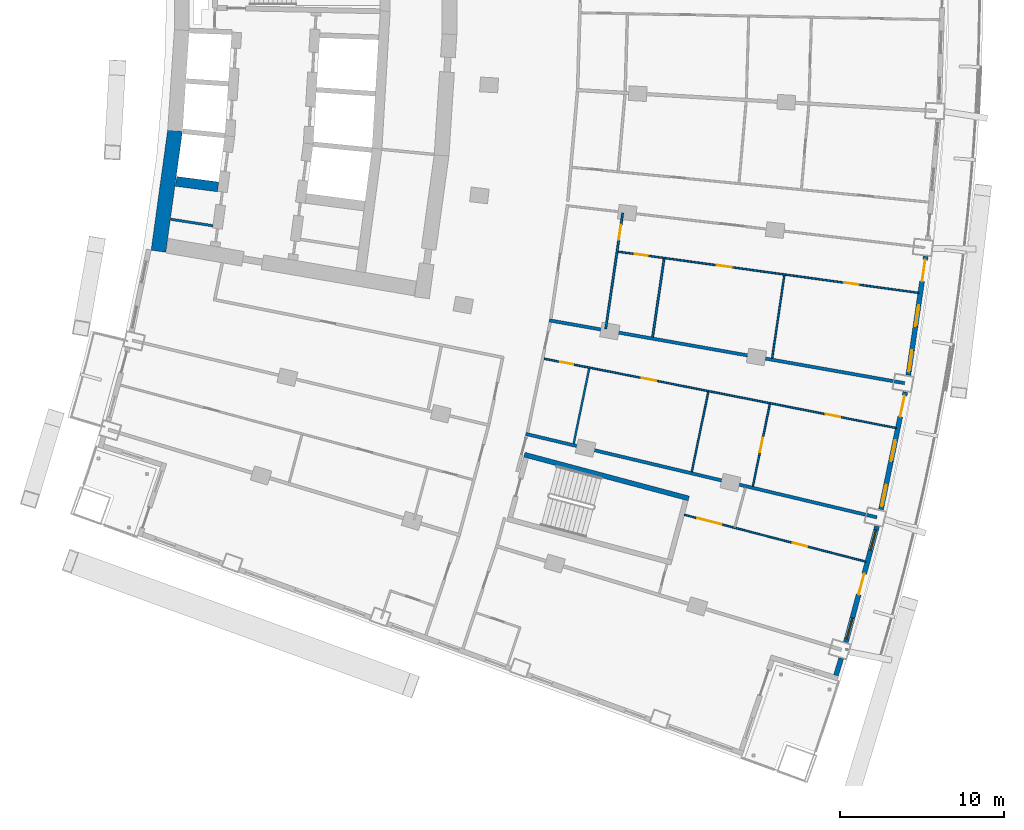
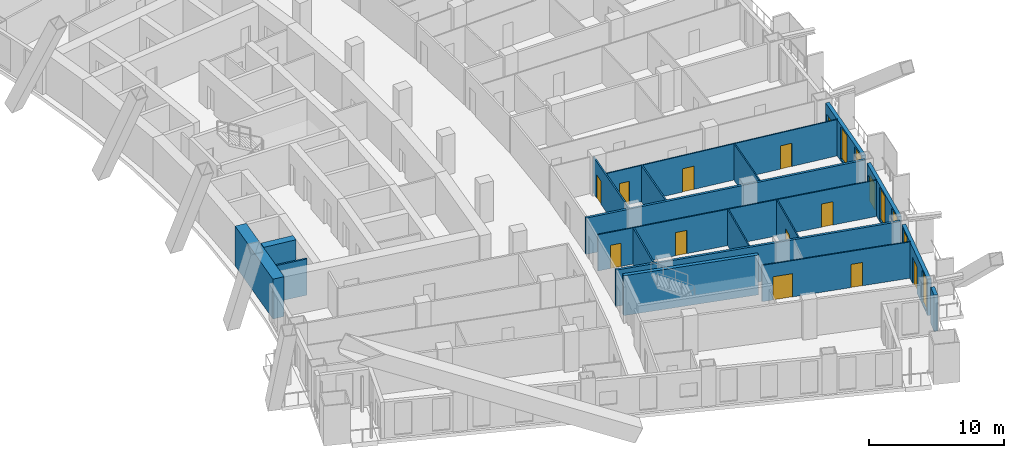
# One storey, part 15 of 25: 19 walls, 13 doors, 6 windows, 19 openings.
"""IFC4 building model written with IfcOpenShell, lengths in metres."""

from ifc_helpers import new_model, si_unit, direction, frame, frame_2d, origin, place, context, subcontext, project, spatial, rectangle, extrude, material, layer, layer_set, type_object, element, fill, save


model = new_model("IFC4")

# Units and contexts
model_context = context("Model", 3, precision=1e-05, world=origin(), true_north=direction((0.0, 1.0)))
body_context = subcontext(model_context, "Body", "Model", "MODEL_VIEW")
ifc_project = project(units=[si_unit("LENGTHUNIT", "METRE"), si_unit("AREAUNIT", "SQUARE_METRE"), si_unit("VOLUMEUNIT", "CUBIC_METRE"), si_unit("PLANEANGLEUNIT", "RADIAN"), si_unit("MASSUNIT", "GRAM", prefix="KILO")], contexts=[model_context])

# Site, building, storey
site_placement = place(None, origin())
site = spatial("IfcSite", under=ifc_project, at=site_placement, CompositionType="ELEMENT")
building_placement = place(site_placement, origin())
building = spatial("IfcBuilding", under=site, at=building_placement, Name="Alderwake Tower", CompositionType="ELEMENT")
storey_placement = place(building_placement, frame((0.0, 0.0, 42.800048828125)))
storey = spatial("IfcBuildingStorey", under=building, at=storey_placement, Name="L09", CompositionType="ELEMENT", Elevation=42.800048828125)

# Walls
ifc_material_1 = material(Name="Gypsum shaft wall system, rated")
ifc_layer_1 = layer(ifc_material_1, 0.14990234375)
ifc_layer_set_1 = layer_set([ifc_layer_1], Name="Core room partition 150")
wall_type_1 = type_object("IfcWallType", Name="Core room partition 150", PredefinedType="PARTITIONING", material=ifc_layer_set_1)
wall_1_placement = place(storey_placement, frame((16.2216796875, 46.0673828125, 0.0), z_axis=(0.0, 0.0, 1.0), x_axis=(0.988167260949, -0.153380130356, 0.0)))
element("IfcWall", 1, at=wall_1_placement, inside=storey, type_object=wall_type_1, Name="CW/L09/PR-161_+0", PredefinedType="PARTITIONING", context=body_context, shape_type="SweptSolid", body=[
    extrude(rectangle(XDim=2.593017578125, YDim=0.14990234375, at=frame_2d((1.29638671875, 0.0))), origin(), (0.0, 0.0, 1.0), 3.280029296875),
])
ifc_material_2 = material(Name="Concrete C70/85", Category="concrete")
ifc_layer_2 = layer(ifc_material_2, 0.89990234375)
ifc_layer_set_2 = layer_set([ifc_layer_2], Name="Core wall outer 900 C70-85")
wall_type_2 = type_object("IfcWallType", Name="Core wall outer 900 C70-85", PredefinedType="SHEAR", material=ifc_layer_set_2)
wall_2_placement = place(storey_placement, frame((15.46923828125, 44.1201171875, 0.0), z_axis=(0.0, 0.0, 1.0), x_axis=(0.136337234661, 0.990662484626, 0.0)))
element("IfcWall", 2, at=wall_2_placement, inside=storey, type_object=wall_type_2, Name="Core wall CW.042", PredefinedType="SHEAR", context=body_context, shape_type="SweptSolid", body=[
    extrude(rectangle(XDim=7.431396484375, YDim=0.89990234375, at=frame_2d((3.7158203125, 0.0))), origin(), (0.0, 0.0, 1.0), 3.599853515625),
])
ifc_material_3 = material(Name="Concrete C70/85", Category="concrete")
ifc_layer_3 = layer(ifc_material_3, 0.60009765625)
ifc_layer_set_3 = layer_set([ifc_layer_3], Name="Core wall spine 600 C70-85")
wall_type_3 = type_object("IfcWallType", Name="Core wall spine 600 C70-85", PredefinedType="SHEAR", material=ifc_layer_set_3)
wall_3_placement = place(storey_placement, frame((16.5390625, 48.373291015625, 0.0), z_axis=(0.0, 0.0, 1.0), x_axis=(0.99156081818, -0.129642369037, 0.0)))
element("IfcWall", 3, at=wall_3_placement, inside=storey, type_object=wall_type_3, Name="Core wall CW.067", PredefinedType="SHEAR", context=body_context, shape_type="SweptSolid", body=[
    extrude(rectangle(XDim=2.581787109375, YDim=0.60009765625, at=frame_2d((1.291015625, 0.0))), origin(), (0.0, 0.0, 1.0), 3.599853515625),
])
ifc_material_4 = material(Name="Concrete C70/85", Category="concrete")
ifc_layer_4 = layer(ifc_material_4, 0.300048828125)
ifc_layer_set_4 = layer_set([ifc_layer_4], Name="Core wall stair enclosure 300 C70-85")
wall_type_4 = type_object("IfcWallType", Name="Core wall stair enclosure 300 C70-85", PredefinedType="SHEAR", material=ifc_layer_set_4)
wall_4_placement = place(storey_placement, frame((37.75390625, 31.731201171875, 0.0), z_axis=(0.0, 0.0, 1.0), x_axis=(0.966309214305, -0.257383958996, 0.0)))
element("IfcWall", 4, at=wall_4_placement, inside=storey, type_object=wall_type_4, Name="Core wall CW.086", PredefinedType="SHEAR", context=body_context, shape_type="SweptSolid", body=[
    extrude(rectangle(XDim=10.360107421875, YDim=0.300048828125, at=frame_2d((5.18017578125, 0.0))), origin(), (0.0, 0.0, 1.0), 3.599853515625),
])
ifc_material_5 = material(Name="Precast concrete C50/60 spandrel panel", Category="concrete")
ifc_layer_5 = layer(ifc_material_5, 0.300048828125)
ifc_layer_set_5 = layer_set([ifc_layer_5], Name="External wall EW1 Precast concrete C50/60 spandrel")
wall_type_5 = type_object("IfcWallType", Name="External wall EW1 Precast concrete C50/60 spandrel", PredefinedType="SOLIDWALL", material=ifc_layer_set_5)
wall_5_placement = place(storey_placement, frame((56.73193359375, 18.2900390625, 0.0), z_axis=(0.0, 0.0, 1.0), x_axis=(0.294497808849, 0.955652154596, 0.0)))
element("IfcWall", 5, at=wall_5_placement, inside=storey, type_object=wall_type_5, Name="External wall 11", PredefinedType="SOLIDWALL", context=body_context, shape_type="SweptSolid", body=[
    extrude(rectangle(XDim=1.082763671875, YDim=0.300048828125, at=frame_2d((0.54150390625, 0.0))), origin(), (0.0, 0.0, 1.0), 3.280029296875),
])

# Wall, openings, door, windows
wall_6_placement = place(storey_placement, frame((57.336181640625, 20.315185546875, 0.0), z_axis=(0.0, 0.0, 1.0), x_axis=(0.259482096381, 0.965747918278, 0.0)))
wall_6 = element("IfcWall", 6, at=wall_6_placement, inside=storey, type_object=wall_type_5, Name="External wall 12", PredefinedType="SOLIDWALL", context=body_context, shape_type="SweptSolid", body=[
    extrude(rectangle(XDim=7.305908203125, YDim=0.300048828125, at=frame_2d((3.65283203125, 0.0))), origin(), (0.0, 0.0, 1.0), 3.280029296875),
])
opening_1_placement = place(wall_6_placement, frame((0.222900390625, 0.0, 0.199951171875)))
opening_1 = element("IfcOpeningElement", 7, at=opening_1_placement, cuts=wall_6, Name="Opening W1", PredefinedType="OPENING", context=body_context, shape_type="SweptSolid", body=[
    extrude(rectangle(XDim=1.300048828125, YDim=2.89990234375, at=frame_2d((0.64990234375, 1.449951171875))), frame((0.0, 0.159912109375, 0.0), z_axis=(0.0, -1.0, 0.0), x_axis=(1.0, 0.0, 0.0)), (0.0, 0.0, 1.0), 0.320068359375),
])
opening_2_placement = place(wall_6_placement, frame((3.0029296875, 0.0, 0.0)))
opening_2 = element("IfcOpeningElement", 8, at=opening_2_placement, cuts=wall_6, Name="Opening D03", PredefinedType="OPENING", context=body_context, shape_type="SweptSolid", body=[
    extrude(rectangle(XDim=1.300048828125, YDim=2.39990234375, at=frame_2d((0.64990234375, 1.199951171875))), frame((0.0, 0.159912109375, 0.0), z_axis=(0.0, -1.0, 0.0), x_axis=(1.0, 0.0, 0.0)), (0.0, 0.0, 1.0), 0.320068359375),
])
opening_3_placement = place(wall_6_placement, frame((5.783203125, 0.0, 0.199951171875)))
opening_3 = element("IfcOpeningElement", 9, at=opening_3_placement, cuts=wall_6, Name="Opening W1", PredefinedType="OPENING", context=body_context, shape_type="SweptSolid", body=[
    extrude(rectangle(XDim=1.300048828125, YDim=2.89990234375, at=frame_2d((0.64990234375, 1.449951171875))), frame((0.0, 0.159912109375, 0.0), z_axis=(0.0, -1.0, 0.0), x_axis=(1.0, 0.0, 0.0)), (0.0, 0.0, 1.0), 0.320068359375),
])
ifc_material_6 = material(Name="Bronze tinted glass in aluminium frame", Category="aluminium")
door_type_1 = type_object("IfcDoorType", Name="Balcony door BD sliding", OperationType="SLIDING_TO_LEFT", PredefinedType="DOOR", material=ifc_material_6)
door_1_placement = place(opening_2_placement, origin())
door_1 = element("IfcDoor", 10, at=door_1_placement, inside=storey, type_object=door_type_1, Name="Door D03", OperationType="SLIDING_TO_LEFT", OverallHeight=2.39990234375, OverallWidth=1.300048828125, PredefinedType="DOOR", context=body_context, shape_type="SweptSolid", body=[
    extrude(rectangle(XDim=1.300048828125, YDim=2.39990234375, at=frame_2d((0.64990234375, 1.199951171875))), frame((0.0, 0.02490234375, 0.0), z_axis=(0.0, -1.0, 0.0), x_axis=(1.0, 0.0, 0.0)), (0.0, 0.0, 1.0), 0.050048828125),
])
fill(opening_2, door_1)
ifc_material_7 = material(Name="Bronze tinted glass in aluminium frame", Category="aluminium")
window_type = type_object("IfcWindowType", Name="Window W1 tall fixed and vent", PartitioningType="DOUBLE_PANEL_VERTICAL", PredefinedType="WINDOW", material=ifc_material_7)
window_1_placement = place(opening_1_placement, origin())
window_1 = element("IfcWindow", 11, at=window_1_placement, inside=storey, type_object=window_type, Name="Window W1 tall fixed and vent", OverallHeight=2.89990234375, OverallWidth=1.300048828125, PartitioningType="DOUBLE_PANEL_VERTICAL", PredefinedType="WINDOW", context=body_context, shape_type="SweptSolid", body=[
    extrude(rectangle(XDim=1.300048828125, YDim=2.89990234375, at=frame_2d((0.64990234375, 1.449951171875))), frame((0.0, 0.030029296875, 0.0), z_axis=(0.0, -1.0, 0.0), x_axis=(1.0, 0.0, 0.0)), (0.0, 0.0, 1.0), 0.06005859375),
])
fill(opening_1, window_1)
window_2_placement = place(opening_3_placement, origin())
window_2 = element("IfcWindow", 12, at=window_2_placement, inside=storey, type_object=window_type, Name="Window W1 tall fixed and vent", OverallHeight=2.89990234375, OverallWidth=1.300048828125, PartitioningType="DOUBLE_PANEL_VERTICAL", PredefinedType="WINDOW", context=body_context, shape_type="SweptSolid", body=[
    extrude(rectangle(XDim=1.300048828125, YDim=2.89990234375, at=frame_2d((0.64990234375, 1.449951171875))), frame((0.0, 0.030029296875, 0.0), z_axis=(0.0, -1.0, 0.0), x_axis=(1.0, 0.0, 0.0)), (0.0, 0.0, 1.0), 0.06005859375),
])
fill(opening_3, window_2)

wall_7_placement = place(storey_placement, frame((59.474365234375, 28.39111328125, 0.0), z_axis=(0.0, 0.0, 1.0), x_axis=(0.202769138353, 0.979226570581, 0.0)))
wall_7 = element("IfcWall", 13, at=wall_7_placement, inside=storey, type_object=wall_type_5, Name="External wall 13", PredefinedType="SOLIDWALL", context=body_context, shape_type="SweptSolid", body=[
    extrude(rectangle(XDim=7.30615234375, YDim=0.300048828125, at=frame_2d((3.653076171875, 0.0))), origin(), (0.0, 0.0, 1.0), 3.280029296875),
])
opening_4_placement = place(wall_7_placement, frame((0.222900390625, 0.0, 0.199951171875)))
opening_4 = element("IfcOpeningElement", 14, at=opening_4_placement, cuts=wall_7, Name="Opening W1", PredefinedType="OPENING", context=body_context, shape_type="SweptSolid", body=[
    extrude(rectangle(XDim=1.300048828125, YDim=2.89990234375, at=frame_2d((0.64990234375, 1.449951171875))), frame((0.0, 0.159912109375, 0.0), z_axis=(0.0, -1.0, 0.0), x_axis=(1.0, 0.0, 0.0)), (0.0, 0.0, 1.0), 0.320068359375),
])
opening_5_placement = place(wall_7_placement, frame((3.0029296875, 0.0, 0.199951171875)))
opening_5 = element("IfcOpeningElement", 15, at=opening_5_placement, cuts=wall_7, Name="Opening W1", PredefinedType="OPENING", context=body_context, shape_type="SweptSolid", body=[
    extrude(rectangle(XDim=1.300048828125, YDim=2.89990234375, at=frame_2d((0.64990234375, 1.449951171875))), frame((0.0, 0.159912109375, 0.0), z_axis=(0.0, -1.0, 0.0), x_axis=(1.0, 0.0, 0.0)), (0.0, 0.0, 1.0), 0.320068359375),
])
opening_6_placement = place(wall_7_placement, frame((5.783203125, 0.0, 0.0)))
opening_6 = element("IfcOpeningElement", 16, at=opening_6_placement, cuts=wall_7, Name="Opening D04", PredefinedType="OPENING", context=body_context, shape_type="SweptSolid", body=[
    extrude(rectangle(XDim=1.300048828125, YDim=2.39990234375, at=frame_2d((0.64990234375, 1.199951171875))), frame((0.0, 0.159912109375, 0.0), z_axis=(0.0, -1.0, 0.0), x_axis=(1.0, 0.0, 0.0)), (0.0, 0.0, 1.0), 0.320068359375),
])
door_2_placement = place(opening_6_placement, origin())
door_2 = element("IfcDoor", 17, at=door_2_placement, inside=storey, type_object=door_type_1, Name="Door D04", OperationType="SLIDING_TO_LEFT", OverallHeight=2.39990234375, OverallWidth=1.300048828125, PredefinedType="DOOR", context=body_context, shape_type="SweptSolid", body=[
    extrude(rectangle(XDim=1.300048828125, YDim=2.39990234375, at=frame_2d((0.64990234375, 1.199951171875))), frame((0.0, 0.02490234375, 0.0), z_axis=(0.0, -1.0, 0.0), x_axis=(1.0, 0.0, 0.0)), (0.0, 0.0, 1.0), 0.050048828125),
])
fill(opening_6, door_2)
window_3_placement = place(opening_4_placement, origin())
window_3 = element("IfcWindow", 18, at=window_3_placement, inside=storey, type_object=window_type, Name="Window W1 tall fixed and vent", OverallHeight=2.89990234375, OverallWidth=1.300048828125, PartitioningType="DOUBLE_PANEL_VERTICAL", PredefinedType="WINDOW", context=body_context, shape_type="SweptSolid", body=[
    extrude(rectangle(XDim=1.300048828125, YDim=2.89990234375, at=frame_2d((0.64990234375, 1.449951171875))), frame((0.0, 0.030029296875, 0.0), z_axis=(0.0, -1.0, 0.0), x_axis=(1.0, 0.0, 0.0)), (0.0, 0.0, 1.0), 0.06005859375),
])
fill(opening_4, window_3)
window_4_placement = place(opening_5_placement, origin())
window_4 = element("IfcWindow", 19, at=window_4_placement, inside=storey, type_object=window_type, Name="Window W1 tall fixed and vent", OverallHeight=2.89990234375, OverallWidth=1.300048828125, PartitioningType="DOUBLE_PANEL_VERTICAL", PredefinedType="WINDOW", context=body_context, shape_type="SweptSolid", body=[
    extrude(rectangle(XDim=1.300048828125, YDim=2.89990234375, at=frame_2d((0.64990234375, 1.449951171875))), frame((0.0, 0.030029296875, 0.0), z_axis=(0.0, -1.0, 0.0), x_axis=(1.0, 0.0, 0.0)), (0.0, 0.0, 1.0), 0.06005859375),
])
fill(opening_5, window_4)

wall_8_placement = place(storey_placement, frame((61.13818359375, 36.577880859375, 0.0), z_axis=(0.0, 0.0, 1.0), x_axis=(0.145326596696, 0.989383737633, 0.0)))
wall_8 = element("IfcWall", 20, at=wall_8_placement, inside=storey, type_object=wall_type_5, Name="External wall 14", PredefinedType="SOLIDWALL", context=body_context, shape_type="SweptSolid", body=[
    extrude(rectangle(XDim=7.30615234375, YDim=0.300048828125, at=frame_2d((3.653076171875, 0.0))), origin(), (0.0, 0.0, 1.0), 3.280029296875),
])
opening_7_placement = place(wall_8_placement, frame((0.222900390625, 0.0, 0.199951171875)))
opening_7 = element("IfcOpeningElement", 21, at=opening_7_placement, cuts=wall_8, Name="Opening W1", PredefinedType="OPENING", context=body_context, shape_type="SweptSolid", body=[
    extrude(rectangle(XDim=1.300048828125, YDim=2.89990234375, at=frame_2d((0.64990234375, 1.449951171875))), frame((0.0, 0.159912109375, 0.0), z_axis=(0.0, -1.0, 0.0), x_axis=(1.0, 0.0, 0.0)), (0.0, 0.0, 1.0), 0.320068359375),
])
opening_8_placement = place(wall_8_placement, frame((3.0029296875, 0.0, 0.199951171875)))
opening_8 = element("IfcOpeningElement", 22, at=opening_8_placement, cuts=wall_8, Name="Opening W1", PredefinedType="OPENING", context=body_context, shape_type="SweptSolid", body=[
    extrude(rectangle(XDim=1.300048828125, YDim=2.89990234375, at=frame_2d((0.64990234375, 1.449951171875))), frame((0.0, 0.159912109375, 0.0), z_axis=(0.0, -1.0, 0.0), x_axis=(1.0, 0.0, 0.0)), (0.0, 0.0, 1.0), 0.320068359375),
])
opening_9_placement = place(wall_8_placement, frame((5.783203125, 0.0, 0.0)))
opening_9 = element("IfcOpeningElement", 23, at=opening_9_placement, cuts=wall_8, Name="Opening D05", PredefinedType="OPENING", context=body_context, shape_type="SweptSolid", body=[
    extrude(rectangle(XDim=1.300048828125, YDim=2.39990234375, at=frame_2d((0.64990234375, 1.199951171875))), frame((0.0, 0.159912109375, 0.0), z_axis=(0.0, -1.0, 0.0), x_axis=(1.0, 0.0, 0.0)), (0.0, 0.0, 1.0), 0.320068359375),
])
door_3_placement = place(opening_9_placement, origin())
door_3 = element("IfcDoor", 24, at=door_3_placement, inside=storey, type_object=door_type_1, Name="Door D05", OperationType="SLIDING_TO_LEFT", OverallHeight=2.39990234375, OverallWidth=1.300048828125, PredefinedType="DOOR", context=body_context, shape_type="SweptSolid", body=[
    extrude(rectangle(XDim=1.300048828125, YDim=2.39990234375, at=frame_2d((0.64990234375, 1.199951171875))), frame((0.0, 0.02490234375, 0.0), z_axis=(0.0, -1.0, 0.0), x_axis=(1.0, 0.0, 0.0)), (0.0, 0.0, 1.0), 0.050048828125),
])
fill(opening_9, door_3)
window_5_placement = place(opening_7_placement, origin())
window_5 = element("IfcWindow", 25, at=window_5_placement, inside=storey, type_object=window_type, Name="Window W1 tall fixed and vent", OverallHeight=2.89990234375, OverallWidth=1.300048828125, PartitioningType="DOUBLE_PANEL_VERTICAL", PredefinedType="WINDOW", context=body_context, shape_type="SweptSolid", body=[
    extrude(rectangle(XDim=1.300048828125, YDim=2.89990234375, at=frame_2d((0.64990234375, 1.449951171875))), frame((0.0, 0.030029296875, 0.0), z_axis=(0.0, -1.0, 0.0), x_axis=(1.0, 0.0, 0.0)), (0.0, 0.0, 1.0), 0.06005859375),
])
fill(opening_7, window_5)
window_6_placement = place(opening_8_placement, origin())
window_6 = element("IfcWindow", 26, at=window_6_placement, inside=storey, type_object=window_type, Name="Window W1 tall fixed and vent", OverallHeight=2.89990234375, OverallWidth=1.300048828125, PartitioningType="DOUBLE_PANEL_VERTICAL", PredefinedType="WINDOW", context=body_context, shape_type="SweptSolid", body=[
    extrude(rectangle(XDim=1.300048828125, YDim=2.89990234375, at=frame_2d((0.64990234375, 1.449951171875))), frame((0.0, 0.030029296875, 0.0), z_axis=(0.0, -1.0, 0.0), x_axis=(1.0, 0.0, 0.0)), (0.0, 0.0, 1.0), 0.06005859375),
])
fill(opening_8, window_6)

# Walls
ifc_material_8 = material(Name="Dense block masonry wall", Category="masonry")
ifc_layer_6 = layer(ifc_material_8, 0.199951171875)
ifc_layer_set_6 = layer_set([ifc_layer_6], Name="Party wall 200")
wall_type_6 = type_object("IfcWallType", Name="Party wall 200", PredefinedType="SOLIDWALL", material=ifc_layer_set_6)
wall_9_placement = place(storey_placement, frame((37.839111328125, 32.994384765625, 0.0), z_axis=(0.0, 0.0, 1.0), x_axis=(0.972899454542, -0.231228569498, 0.0)))
element("IfcWall", 27, at=wall_9_placement, inside=storey, type_object=wall_type_6, Name="WL/L09/W04", PredefinedType="SOLIDWALL", context=body_context, shape_type="SweptSolid", body=[
    extrude(rectangle(XDim=21.9794921875, YDim=0.199951171875, at=frame_2d((10.98974609375, 0.0))), origin(), (0.0, 0.0, 1.0), 3.280029296875),
])
wall_10_placement = place(storey_placement, frame((60.9150390625, 36.083984375, 0.0), z_axis=(0.0, 0.0, 1.0), x_axis=(-0.984728497917, 0.174097057385, 0.0)))
element("IfcWall", 28, at=wall_10_placement, inside=storey, type_object=wall_type_6, Name="WL/L09/W08", PredefinedType="SOLIDWALL", context=body_context, shape_type="SweptSolid", body=[
    extrude(rectangle(XDim=21.9814453125, YDim=0.199951171875, at=frame_2d((10.99072265625, 0.0))), origin(), (0.0, 0.0, 1.0), 3.280029296875),
])

# Wall, openings, doors
ifc_material_9 = material(Name="Gypsum board on metal studs")
ifc_layer_7 = layer(ifc_material_9, 0.10009765625)
ifc_layer_set_7 = layer_set([ifc_layer_7], Name="Unit partition 100")
wall_type_7 = type_object("IfcWallType", Name="Unit partition 100", PredefinedType="PARTITIONING", material=ifc_layer_set_7)
wall_11_placement = place(storey_placement, frame((60.39892578125, 33.35107421875, 0.0), z_axis=(0.0, 0.0, 1.0), x_axis=(-0.981161329004, 0.193190182119, 0.0)))
wall_11 = element("IfcWall", 29, at=wall_11_placement, inside=storey, type_object=wall_type_7, Name="WL/L09/W66", PredefinedType="PARTITIONING", context=body_context, shape_type="SweptSolid", body=[
    extrude(rectangle(XDim=21.861328125, YDim=0.10009765625, at=frame_2d((10.9306640625, 0.0))), origin(), (0.0, 0.0, 1.0), 3.280029296875),
])
opening_10_placement = place(wall_11_placement, frame((14.896728515625, 0.0, 0.0)))
opening_10 = element("IfcOpeningElement", 30, at=opening_10_placement, cuts=wall_11, Name="Opening R02-U05.1", PredefinedType="OPENING", context=body_context, shape_type="SweptSolid", body=[
    extrude(rectangle(XDim=0.89990234375, YDim=2.10009765625, at=frame_2d((0.449951171875, 1.050048828125))), frame((0.0, 0.06005859375, 0.0), z_axis=(0.0, -1.0, 0.0), x_axis=(1.0, 0.0, 0.0)), (0.0, 0.0, 1.0), 0.1201171875),
])
opening_11_placement = place(wall_11_placement, frame((20.052001953125, 0.0, 0.0)))
opening_11 = element("IfcOpeningElement", 31, at=opening_11_placement, cuts=wall_11, Name="Opening R02-U05.4", PredefinedType="OPENING", context=body_context, shape_type="SweptSolid", body=[
    extrude(rectangle(XDim=0.800048828125, YDim=2.10009765625, at=frame_2d((0.39990234375, 1.050048828125))), frame((0.0, 0.06005859375, 0.0), z_axis=(0.0, -1.0, 0.0), x_axis=(1.0, 0.0, 0.0)), (0.0, 0.0, 1.0), 0.1201171875),
])
opening_12_placement = place(wall_11_placement, frame((3.465087890625, 0.0, 0.0)))
opening_12 = element("IfcOpeningElement", 32, at=opening_12_placement, cuts=wall_11, Name="Opening R02-U05.5", PredefinedType="OPENING", context=body_context, shape_type="SweptSolid", body=[
    extrude(rectangle(XDim=0.89990234375, YDim=2.10009765625, at=frame_2d((0.449951171875, 1.050048828125))), frame((0.0, 0.06005859375, 0.0), z_axis=(0.0, -1.0, 0.0), x_axis=(1.0, 0.0, 0.0)), (0.0, 0.0, 1.0), 0.1201171875),
])
ifc_material_10 = material(Name="Painted timber leaf", Category="wood")
door_type_2 = type_object("IfcDoorType", Name="Bathroom door 800", OperationType="SINGLE_SWING_LEFT", PredefinedType="DOOR", material=ifc_material_10)
door_4_placement = place(opening_11_placement, origin())
door_4 = element("IfcDoor", 33, at=door_4_placement, inside=storey, type_object=door_type_2, Name="DR/L09/U05.4", OperationType="SINGLE_SWING_LEFT", OverallHeight=2.10009765625, OverallWidth=0.800048828125, PredefinedType="DOOR", context=body_context, shape_type="SweptSolid", body=[
    extrude(rectangle(XDim=0.800048828125, YDim=2.10009765625, at=frame_2d((0.39990234375, 1.050048828125))), frame((0.0, 0.02490234375, 0.0), z_axis=(0.0, -1.0, 0.0), x_axis=(1.0, 0.0, 0.0)), (0.0, 0.0, 1.0), 0.050048828125),
])
fill(opening_11, door_4)
ifc_material_11 = material(Name="Painted timber leaf", Category="wood")
door_type_3 = type_object("IfcDoorType", Name="Room door 900", OperationType="SINGLE_SWING_LEFT", PredefinedType="DOOR", material=ifc_material_11)
door_5_placement = place(opening_10_placement, origin())
door_5 = element("IfcDoor", 34, at=door_5_placement, inside=storey, type_object=door_type_3, Name="DR/L09/U05.1", OperationType="SINGLE_SWING_LEFT", OverallHeight=2.10009765625, OverallWidth=0.89990234375, PredefinedType="DOOR", context=body_context, shape_type="SweptSolid", body=[
    extrude(rectangle(XDim=0.89990234375, YDim=2.10009765625, at=frame_2d((0.449951171875, 1.050048828125))), frame((0.0, 0.02490234375, 0.0), z_axis=(0.0, -1.0, 0.0), x_axis=(1.0, 0.0, 0.0)), (0.0, 0.0, 1.0), 0.050048828125),
])
fill(opening_10, door_5)
door_6_placement = place(opening_12_placement, origin())
door_6 = element("IfcDoor", 35, at=door_6_placement, inside=storey, type_object=door_type_3, Name="DR/L09/U05.5", OperationType="SINGLE_SWING_LEFT", OverallHeight=2.10009765625, OverallWidth=0.89990234375, PredefinedType="DOOR", context=body_context, shape_type="SweptSolid", body=[
    extrude(rectangle(XDim=0.89990234375, YDim=2.10009765625, at=frame_2d((0.449951171875, 1.050048828125))), frame((0.0, 0.02490234375, 0.0), z_axis=(0.0, -1.0, 0.0), x_axis=(1.0, 0.0, 0.0)), (0.0, 0.0, 1.0), 0.050048828125),
])
fill(opening_12, door_6)

wall_12_placement = place(storey_placement, frame((61.77294921875, 41.5830078125, 0.0), z_axis=(0.0, 0.0, 1.0), x_axis=(-0.990745740942, 0.13573089849, 0.0)))
wall_12 = element("IfcWall", 36, at=wall_12_placement, inside=storey, type_object=wall_type_7, Name="WL/L09/W74", PredefinedType="PARTITIONING", context=body_context, shape_type="SweptSolid", body=[
    extrude(rectangle(XDim=18.483642578125, YDim=0.10009765625, at=frame_2d((9.24169921875, 0.0))), origin(), (0.0, 0.0, 1.0), 3.280029296875),
])
opening_13_placement = place(wall_12_placement, frame((11.4990234375, 0.0, 0.0)))
opening_13 = element("IfcOpeningElement", 37, at=opening_13_placement, cuts=wall_12, Name="Opening R02-U06.1", PredefinedType="OPENING", context=body_context, shape_type="SweptSolid", body=[
    extrude(rectangle(XDim=0.89990234375, YDim=2.10009765625, at=frame_2d((0.449951171875, 1.050048828125))), frame((0.0, 0.06005859375, 0.0), z_axis=(0.0, -1.0, 0.0), x_axis=(1.0, 0.0, 0.0)), (0.0, 0.0, 1.0), 0.1201171875),
])
opening_14_placement = place(wall_12_placement, frame((16.6640625, 0.0, 0.0)))
opening_14 = element("IfcOpeningElement", 38, at=opening_14_placement, cuts=wall_12, Name="Opening R02-U06.4", PredefinedType="OPENING", context=body_context, shape_type="SweptSolid", body=[
    extrude(rectangle(XDim=0.800048828125, YDim=2.10009765625, at=frame_2d((0.39990234375, 1.050048828125))), frame((0.0, 0.06005859375, 0.0), z_axis=(0.0, -1.0, 0.0), x_axis=(1.0, 0.0, 0.0)), (0.0, 0.0, 1.0), 0.1201171875),
])
opening_15_placement = place(wall_12_placement, frame((3.676513671875, 0.0, 0.0)))
opening_15 = element("IfcOpeningElement", 39, at=opening_15_placement, cuts=wall_12, Name="Opening R02-U06.5", PredefinedType="OPENING", context=body_context, shape_type="SweptSolid", body=[
    extrude(rectangle(XDim=0.89990234375, YDim=2.10009765625, at=frame_2d((0.449951171875, 1.050048828125))), frame((0.0, 0.06005859375, 0.0), z_axis=(0.0, -1.0, 0.0), x_axis=(1.0, 0.0, 0.0)), (0.0, 0.0, 1.0), 0.1201171875),
])
door_7_placement = place(opening_14_placement, origin())
door_7 = element("IfcDoor", 40, at=door_7_placement, inside=storey, type_object=door_type_2, Name="DR/L09/U06.4", OperationType="SINGLE_SWING_LEFT", OverallHeight=2.10009765625, OverallWidth=0.800048828125, PredefinedType="DOOR", context=body_context, shape_type="SweptSolid", body=[
    extrude(rectangle(XDim=0.800048828125, YDim=2.10009765625, at=frame_2d((0.39990234375, 1.050048828125))), frame((0.0, 0.02490234375, 0.0), z_axis=(0.0, -1.0, 0.0), x_axis=(1.0, 0.0, 0.0)), (0.0, 0.0, 1.0), 0.050048828125),
])
fill(opening_14, door_7)
door_8_placement = place(opening_13_placement, origin())
door_8 = element("IfcDoor", 41, at=door_8_placement, inside=storey, type_object=door_type_3, Name="DR/L09/U06.1", OperationType="SINGLE_SWING_LEFT", OverallHeight=2.10009765625, OverallWidth=0.89990234375, PredefinedType="DOOR", context=body_context, shape_type="SweptSolid", body=[
    extrude(rectangle(XDim=0.89990234375, YDim=2.10009765625, at=frame_2d((0.449951171875, 1.050048828125))), frame((0.0, 0.02490234375, 0.0), z_axis=(0.0, -1.0, 0.0), x_axis=(1.0, 0.0, 0.0)), (0.0, 0.0, 1.0), 0.050048828125),
])
fill(opening_13, door_8)
door_9_placement = place(opening_15_placement, origin())
door_9 = element("IfcDoor", 42, at=door_9_placement, inside=storey, type_object=door_type_3, Name="DR/L09/U06.5", OperationType="SINGLE_SWING_LEFT", OverallHeight=2.10009765625, OverallWidth=0.89990234375, PredefinedType="DOOR", context=body_context, shape_type="SweptSolid", body=[
    extrude(rectangle(XDim=0.89990234375, YDim=2.10009765625, at=frame_2d((0.449951171875, 1.050048828125))), frame((0.0, 0.02490234375, 0.0), z_axis=(0.0, -1.0, 0.0), x_axis=(1.0, 0.0, 0.0)), (0.0, 0.0, 1.0), 0.050048828125),
])
fill(opening_15, door_9)

wall_13_placement = place(storey_placement, frame((58.548095703125, 25.2119140625, 0.0), z_axis=(0.0, 0.0, 1.0), x_axis=(-0.968174890879, 0.250274610522, 0.0)))
wall_13 = element("IfcWall", 43, at=wall_13_placement, inside=storey, type_object=wall_type_7, Name="WL/L09/W75", PredefinedType="PARTITIONING", context=body_context, shape_type="SweptSolid", body=[
    extrude(rectangle(XDim=11.412353515625, YDim=0.10009765625, at=frame_2d((5.7060546875, 0.0))), origin(), (0.0, 0.0, 1.0), 3.280029296875),
])
opening_16_placement = place(wall_13_placement, frame((9.080078125, 0.0, 0.0)))
opening_16 = element("IfcOpeningElement", 44, at=opening_16_placement, cuts=wall_13, Name="Opening R02-U01.2", PredefinedType="OPENING", context=body_context, shape_type="SweptSolid", body=[
    extrude(rectangle(XDim=1.5, YDim=2.10009765625, at=frame_2d((0.75, 1.050048828125))), frame((0.0, 0.06005859375, 0.0), z_axis=(0.0, -1.0, 0.0), x_axis=(1.0, 0.0, 0.0)), (0.0, 0.0, 1.0), 0.1201171875),
])
opening_17_placement = place(wall_13_placement, frame((3.67431640625, 0.0, 0.0)))
opening_17 = element("IfcOpeningElement", 45, at=opening_17_placement, cuts=wall_13, Name="Opening R02-U01.3", PredefinedType="OPENING", context=body_context, shape_type="SweptSolid", body=[
    extrude(rectangle(XDim=0.89990234375, YDim=2.10009765625, at=frame_2d((0.449951171875, 1.050048828125))), frame((0.0, 0.06005859375, 0.0), z_axis=(0.0, -1.0, 0.0), x_axis=(1.0, 0.0, 0.0)), (0.0, 0.0, 1.0), 0.1201171875),
])
ifc_material_12 = material(Name="Painted timber leaves", Category="wood")
door_type_4 = type_object("IfcDoorType", Name="Double leaf door 1500", OperationType="DOUBLE_DOOR_SINGLE_SWING", PredefinedType="DOOR", material=ifc_material_12)
door_10_placement = place(opening_16_placement, origin())
door_10 = element("IfcDoor", 46, at=door_10_placement, inside=storey, type_object=door_type_4, Name="DR/L09/U01.2", OperationType="DOUBLE_DOOR_SINGLE_SWING", OverallHeight=2.10009765625, OverallWidth=1.5, PredefinedType="DOOR", context=body_context, shape_type="SweptSolid", body=[
    extrude(rectangle(XDim=1.5, YDim=2.10009765625, at=frame_2d((0.75, 1.050048828125))), frame((0.0, 0.02490234375, 0.0), z_axis=(0.0, -1.0, 0.0), x_axis=(1.0, 0.0, 0.0)), (0.0, 0.0, 1.0), 0.050048828125),
])
fill(opening_16, door_10)
door_11_placement = place(opening_17_placement, origin())
door_11 = element("IfcDoor", 47, at=door_11_placement, inside=storey, type_object=door_type_3, Name="DR/L09/U01.3", OperationType="SINGLE_SWING_LEFT", OverallHeight=2.10009765625, OverallWidth=0.89990234375, PredefinedType="DOOR", context=body_context, shape_type="SweptSolid", body=[
    extrude(rectangle(XDim=0.89990234375, YDim=2.10009765625, at=frame_2d((0.449951171875, 1.050048828125))), frame((0.0, 0.02490234375, 0.0), z_axis=(0.0, -1.0, 0.0), x_axis=(1.0, 0.0, 0.0)), (0.0, 0.0, 1.0), 0.050048828125),
])
fill(opening_17, door_11)

# Wall
wall_14_placement = place(storey_placement, frame((47.951416015625, 30.695068359375, 0.0), z_axis=(0.0, 0.0, 1.0), x_axis=(0.202511194584, 0.979279947752, 0.0)))
element("IfcWall", 48, at=wall_14_placement, inside=storey, type_object=wall_type_7, Name="WL/L09/W77", PredefinedType="PARTITIONING", context=body_context, shape_type="SweptSolid", body=[
    extrude(rectangle(XDim=4.959716796875, YDim=0.10009765625, at=frame_2d((2.47998046875, 0.0))), origin(), (0.0, 0.0, 1.0), 3.280029296875),
])

# Wall, opening, door
wall_15_placement = place(storey_placement, frame((51.67138671875, 29.81005859375, 0.0), z_axis=(0.0, 0.0, 1.0), x_axis=(0.202442866735, 0.979294075193, 0.0)))
wall_15 = element("IfcWall", 49, at=wall_15_placement, inside=storey, type_object=wall_type_7, Name="WL/L09/W85", PredefinedType="PARTITIONING", context=body_context, shape_type="SweptSolid", body=[
    extrude(rectangle(XDim=5.109619140625, YDim=0.10009765625, at=frame_2d((2.5546875, 0.0))), origin(), (0.0, 0.0, 1.0), 3.280029296875),
])
opening_18_placement = place(wall_15_placement, frame((2.10498046875, 0.0, 0.0)))
opening_18 = element("IfcOpeningElement", 50, at=opening_18_placement, cuts=wall_15, Name="Opening R02-U05.2", PredefinedType="OPENING", context=body_context, shape_type="SweptSolid", body=[
    extrude(rectangle(XDim=0.89990234375, YDim=2.10009765625, at=frame_2d((0.449951171875, 1.050048828125))), frame((0.0, 0.06005859375, 0.0), z_axis=(0.0, -1.0, 0.0), x_axis=(1.0, 0.0, 0.0)), (0.0, 0.0, 1.0), 0.1201171875),
])
door_12_placement = place(opening_18_placement, origin())
door_12 = element("IfcDoor", 51, at=door_12_placement, inside=storey, type_object=door_type_3, Name="DR/L09/U05.2", OperationType="SINGLE_SWING_LEFT", OverallHeight=2.10009765625, OverallWidth=0.89990234375, PredefinedType="DOOR", context=body_context, shape_type="SweptSolid", body=[
    extrude(rectangle(XDim=0.89990234375, YDim=2.10009765625, at=frame_2d((0.449951171875, 1.050048828125))), frame((0.0, 0.02490234375, 0.0), z_axis=(0.0, -1.0, 0.0), x_axis=(1.0, 0.0, 0.0)), (0.0, 0.0, 1.0), 0.050048828125),
])
fill(opening_18, door_12)

# Walls
wall_16_placement = place(storey_placement, frame((52.847412109375, 37.614013671875, 0.0), z_axis=(0.0, 0.0, 1.0), x_axis=(0.145353214314, 0.989379827512, 0.0)))
element("IfcWall", 52, at=wall_16_placement, inside=storey, type_object=wall_type_7, Name="WL/L09/W86", PredefinedType="PARTITIONING", context=body_context, shape_type="SweptSolid", body=[
    extrude(rectangle(XDim=5.0927734375, YDim=0.10009765625, at=frame_2d((2.54638671875, 0.0))), origin(), (0.0, 0.0, 1.0), 3.280029296875),
])
ifc_material_13 = material(Name="Moisture resistant gypsum board on metal studs")
ifc_layer_8 = layer(ifc_material_13, 0.1201171875)
ifc_layer_set_8 = layer_set([ifc_layer_8], Name="Wet room partition 120")
wall_type_8 = type_object("IfcWallType", Name="Wet room partition 120", PredefinedType="PARTITIONING", material=ifc_layer_set_8)
wall_17_placement = place(storey_placement, frame((40.75732421875, 32.402099609375, 0.0), z_axis=(0.0, 0.0, 1.0), x_axis=(0.202555554597, 0.97927077323, 0.0)))
element("IfcWall", 53, at=wall_17_placement, inside=storey, type_object=wall_type_8, Name="WL/L09/W51", PredefinedType="PARTITIONING", context=body_context, shape_type="SweptSolid", body=[
    extrude(rectangle(XDim=4.677734375, YDim=0.1201171875, at=frame_2d((2.3388671875, 0.0))), origin(), (0.0, 0.0, 1.0), 3.280029296875),
])

# Wall, opening, door
wall_18_placement = place(storey_placement, frame((43.74462890625, 46.447509765625, 0.0), z_axis=(0.0, 0.0, 1.0), x_axis=(-0.145290574876, -0.989389028063, 0.0)))
wall_18 = element("IfcWall", 54, at=wall_18_placement, inside=storey, type_object=wall_type_8, Name="WL/L09/W53", PredefinedType="PARTITIONING", context=body_context, shape_type="SweptSolid", body=[
    extrude(rectangle(XDim=7.117919921875, YDim=0.1201171875, at=frame_2d((3.55908203125, 0.0))), origin(), (0.0, 0.0, 1.0), 3.280029296875),
])
opening_19_placement = place(wall_18_placement, frame((0.736572265625, 0.0, 0.0)))
opening_19 = element("IfcOpeningElement", 55, at=opening_19_placement, cuts=wall_18, Name="Opening R02-U06.3", PredefinedType="OPENING", context=body_context, shape_type="SweptSolid", body=[
    extrude(rectangle(XDim=0.89990234375, YDim=2.10009765625, at=frame_2d((0.449951171875, 1.050048828125))), frame((0.0, 0.070068359375, 0.0), z_axis=(0.0, -1.0, 0.0), x_axis=(1.0, 0.0, 0.0)), (0.0, 0.0, 1.0), 0.14013671875),
])
door_13_placement = place(opening_19_placement, origin())
door_13 = element("IfcDoor", 56, at=door_13_placement, inside=storey, type_object=door_type_3, Name="DR/L09/U06.3", OperationType="SINGLE_SWING_LEFT", OverallHeight=2.10009765625, OverallWidth=0.89990234375, PredefinedType="DOOR", context=body_context, shape_type="SweptSolid", body=[
    extrude(rectangle(XDim=0.89990234375, YDim=2.10009765625, at=frame_2d((0.449951171875, 1.050048828125))), frame((0.0, 0.02490234375, 0.0), z_axis=(0.0, -1.0, 0.0), x_axis=(1.0, 0.0, 0.0)), (0.0, 0.0, 1.0), 0.050048828125),
])
fill(opening_19, door_13)

# Wall
wall_19_placement = place(storey_placement, frame((45.56640625, 38.90087890625, 0.0), z_axis=(0.0, 0.0, 1.0), x_axis=(0.145238137818, 0.989396726962, 0.0)))
element("IfcWall", 57, at=wall_19_placement, inside=storey, type_object=wall_type_8, Name="WL/L09/W59", PredefinedType="PARTITIONING", context=body_context, shape_type="SweptSolid", body=[
    extrude(rectangle(XDim=4.8076171875, YDim=0.1201171875, at=frame_2d((2.40380859375, 0.0))), origin(), (0.0, 0.0, 1.0), 3.280029296875),
])

save(model, "model.ifc")
